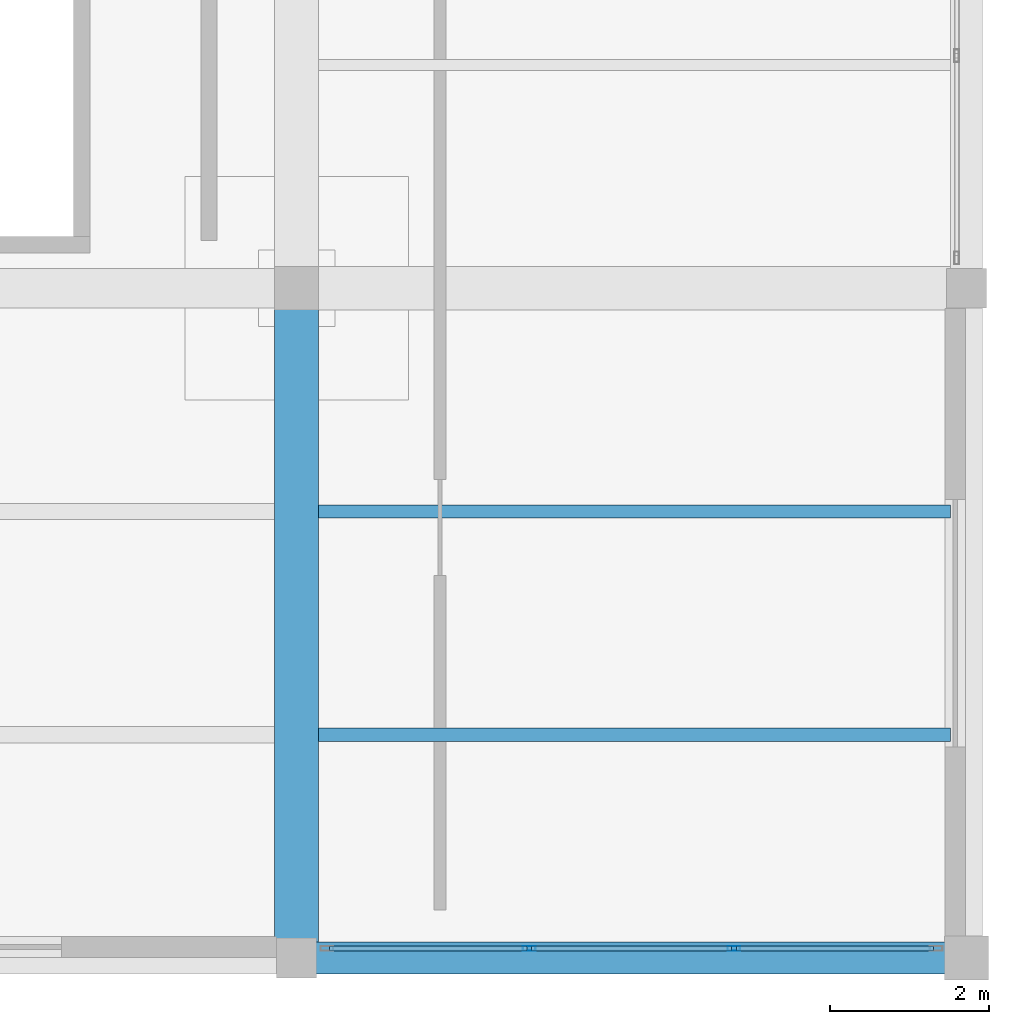
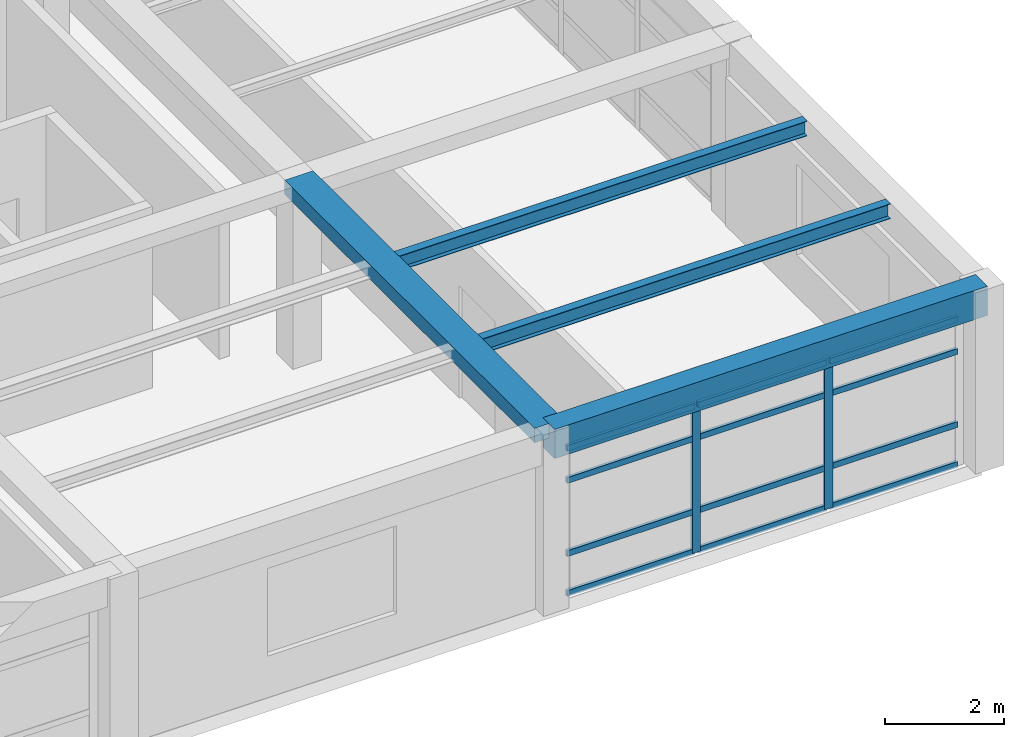
# One storey, part 7 of 20: 14 members, 4 beams, 1 element without a shape of its own.
"""IFC4 building model written with IfcOpenShell, lengths in metres."""

import ifcopenshell
import ifcopenshell.guid

model = None  # the IFC model being written
_history = None  # IfcOwnerHistory: only IFC2X3 demands one
_inside = {}  # id of a spatial element -> (the spatial element, [elements in it])
_under = {}  # id of a project, library or spatial element -> (it, [spatial elements below it])
_declared = {}  # id of a project -> (the project, [libraries it declares])
_typed = {}  # id of a type object -> (the type object, [elements of that type])
_made_of = {}  # id of a material, layer set ... -> (it, [elements and type objects made of it])


def new_model(schema):
    """Start an empty IFC model of exactly this schema.

    Asked for "IFC4X3", IfcOpenShell would pick the latest addendum, in which some entities
    have other attributes; the version numbers below select the first issue.
    IFC2X3 requires an IfcOwnerHistory on every rooted entity: one is made here for all.
    """
    global model, _history
    if schema == "IFC4X3":
        model = ifcopenshell.file(schema_version=(4, 3, 0, 0))
    else:
        model = ifcopenshell.file(schema=schema)
    _inside.clear()
    _under.clear()
    _declared.clear()
    _typed.clear()
    _made_of.clear()
    _history = None
    if model.schema == "IFC2X3":
        org = make("IfcOrganization", Name="unknown")
        user = make(
            "IfcPersonAndOrganization",
            ThePerson=make("IfcPerson", FamilyName="unknown"),
            TheOrganization=org,
        )
        app = make(
            "IfcApplication",
            ApplicationDeveloper=org,
            Version="unknown",
            ApplicationFullName="unknown",
            ApplicationIdentifier="unknown",
        )
        _history = make(
            "IfcOwnerHistory",
            OwningUser=user,
            OwningApplication=app,
            ChangeAction="ADDED",
            CreationDate=0,
        )
    return model


def make(cls, **values):
    """One entity of the class cls with the attributes given. An attribute that is None is left unset."""
    return model.create_entity(
        cls, **{name: value for name, value in values.items() if value is not None}
    )


def rooted(cls, **values):
    """An entity with a GlobalId (a new one), such as an element, a storey or a relation."""
    return make(cls, GlobalId=ifcopenshell.guid.new(), OwnerHistory=_history, **values)


def si_unit(unit_type, name, prefix=None):
    """IfcSIUnit, for example si_unit("LENGTHUNIT", "METRE", prefix="MILLI")."""
    return make("IfcSIUnit", UnitType=unit_type, Prefix=prefix, Name=name)


def assignment(units):
    """IfcUnitAssignment: the units of a project."""
    return None if units is None else make("IfcUnitAssignment", Units=units)


def point(xyz):
    """IfcCartesianPoint."""
    return None if xyz is None else make("IfcCartesianPoint", Coordinates=xyz)


def direction(xyz):
    """IfcDirection."""
    return None if xyz is None else make("IfcDirection", DirectionRatios=xyz)


def frame(location, z_axis=None, x_axis=None):
    """IfcAxis2Placement3D, a coordinate frame: its origin and axes. An axis left out is left unset."""
    return make(
        "IfcAxis2Placement3D",
        Location=point(location),
        Axis=direction(z_axis),
        RefDirection=direction(x_axis),
    )


def frame_2d(location, x_axis=None):
    """IfcAxis2Placement2D, a coordinate frame in the plane: its origin and x axis."""
    return make(
        "IfcAxis2Placement2D", Location=point(location), RefDirection=direction(x_axis)
    )


def origin():
    """The frame at (0, 0, 0) with its axes left unset."""
    return frame((0.0, 0.0, 0.0))


def origin_2d():
    """The frame at (0, 0) in the plane with its x axis left unset."""
    return frame_2d((0.0, 0.0))


def place(relative_to, where):
    """IfcLocalPlacement: puts the frame where relative to a parent placement (None: the world)."""
    return make(
        "IfcLocalPlacement", PlacementRelTo=relative_to, RelativePlacement=where
    )


def context(
    kind, dimensions, precision=None, world=None, true_north=None, identifier=None
):
    """IfcGeometricRepresentationContext, for example the 3D "Model" context."""
    return make(
        "IfcGeometricRepresentationContext",
        ContextIdentifier=identifier,
        ContextType=kind,
        CoordinateSpaceDimension=dimensions,
        Precision=precision,
        WorldCoordinateSystem=world,
        TrueNorth=true_north,
    )


def subcontext(parent, identifier, kind, view, scale=None):
    """IfcGeometricRepresentationSubContext, for example "Body" below "Model"."""
    return make(
        "IfcGeometricRepresentationSubContext",
        ContextIdentifier=identifier,
        ContextType=kind,
        ParentContext=parent,
        TargetScale=scale,
        TargetView=view,
    )


def project(units=None, contexts=None):
    """IfcProject with its units and contexts."""
    return rooted(
        "IfcProject",
        Name="project",
        RepresentationContexts=contexts,
        UnitsInContext=assignment(units),
    )


def spatial(cls, under=None, at=None, **own):
    """A site, building, storey or space (cls), placed at a placement, below another one or the project."""
    s = rooted(cls, ObjectPlacement=at, **own)
    if under is not None:
        _under.setdefault(under.id(), (under, []))[1].append(s)
    return s


def profile(cls, at=None, kind="AREA", **sizes):
    """A parametric profile (cls). Its sizes go by their IFC names, for example OverallWidth=200.0."""
    return make(cls, ProfileType=kind, Position=at, **sizes)


def rectangle(**sizes):
    """IfcRectangleProfileDef."""
    return profile("IfcRectangleProfileDef", **sizes)


def hollow_rectangle(**sizes):
    """IfcRectangleHollowProfileDef."""
    return profile("IfcRectangleHollowProfileDef", **sizes)


def i_section(**sizes):
    """IfcIShapeProfileDef."""
    return profile("IfcIShapeProfileDef", **sizes)


def extrude(swept, where, along, depth):
    """IfcExtrudedAreaSolid: the profile swept, set in the frame where, extruded along a direction by depth."""
    return make(
        "IfcExtrudedAreaSolid",
        SweptArea=swept,
        Position=where,
        ExtrudedDirection=direction(along),
        Depth=depth,
    )


def shape(context_of_items, identifier, shape_type, items):
    """IfcShapeRepresentation: the items that make up one representation, for example the "Body"."""
    return make(
        "IfcShapeRepresentation",
        ContextOfItems=context_of_items,
        RepresentationIdentifier=identifier,
        RepresentationType=shape_type,
        Items=items,
    )


def material(Name=None, Category=None):
    """IfcMaterial."""
    return make("IfcMaterial", Name=Name, Category=Category)


def material_profile(
    of_material, cross_section, Name=None, Category=None, Priority=None
):
    """IfcMaterialProfile: a cross section and its material."""
    return make(
        "IfcMaterialProfile",
        Name=Name,
        Material=of_material,
        Profile=cross_section,
        Priority=Priority,
        Category=Category,
    )


def profile_set(profiles, Name=None, composite=None):
    """IfcMaterialProfileSet."""
    return make(
        "IfcMaterialProfileSet",
        Name=Name,
        MaterialProfiles=profiles,
        CompositeProfile=composite,
    )


def made_of(thing, what):
    """Note that an element or type object is made of a material, layer set ...; save() writes the relation."""
    if what is not None:
        _made_of.setdefault(what.id(), (what, []))[1].append(thing)
    return thing


def type_object(cls, material=None, **own):
    """A type object (cls), such as IfcWallType, which elements share."""
    return made_of(rooted(cls, **own), material)


def element(
    cls,
    number,
    at=None,
    inside=None,
    cuts=None,
    type_object=None,
    material=None,
    context=None,
    identifier="Body",
    shape_type=None,
    held_by="IfcProductDefinitionShape",
    body=None,
    shapes=None,
    **own,
):
    """One element of the class cls, such as IfcWall. Its Tag is "e" and its number.

    at: its placement. inside: the storey or other place that contains it. cuts: it is an
    opening in that element (IfcRelVoidsElement). A single representation is given by context,
    identifier, shape_type and body (its items); several are given by shapes. held_by: the class
    of the entity that holds the representations. save() writes the other relations.
    """
    e = rooted(cls, Tag="e%d" % number, ObjectPlacement=at, **own)
    if body is not None:
        shapes = [shape(context, identifier, shape_type, body)]
    if shapes is not None:
        e.Representation = make(held_by, Representations=shapes)
    if inside is not None:
        _inside.setdefault(inside.id(), (inside, []))[1].append(e)
    if cuts is not None:
        rooted(
            "IfcRelVoidsElement", RelatingBuildingElement=cuts, RelatedOpeningElement=e
        )
    if type_object is not None:
        _typed.setdefault(type_object.id(), (type_object, []))[1].append(e)
    return made_of(e, material)


def aggregate(whole, parts):
    """IfcRelAggregates: a whole, such as a stair, and the parts it consists of."""
    return rooted("IfcRelAggregates", RelatingObject=whole, RelatedObjects=parts)


def save(model, path):
    """Write the relations noted so far, then the file.

    IfcRelAggregates (storeys below a building ...), IfcRelContainedInSpatialStructure (elements
    in a storey), IfcRelDefinesByType, IfcRelAssociatesMaterial and IfcRelDeclares: one each for
    every whole, place, type object, material and project.
    """
    for whole, parts in _under.values():
        aggregate(whole, parts)
    for where, things in _inside.values():
        rooted(
            "IfcRelContainedInSpatialStructure",
            RelatedElements=things,
            RelatingStructure=where,
        )
    for kind, things in _typed.values():
        rooted("IfcRelDefinesByType", RelatedObjects=things, RelatingType=kind)
    for what, things in _made_of.values():
        rooted("IfcRelAssociatesMaterial", RelatedObjects=things, RelatingMaterial=what)
    for by, libraries in _declared.values():
        rooted("IfcRelDeclares", RelatingContext=by, RelatedDefinitions=libraries)
    model.write(path)


model = new_model("IFC4")

# Units and contexts
model_context = context("Model", 3, precision=1e-05, world=origin(), true_north=direction((0.0, 1.0)))
body_context = subcontext(model_context, "Body", "Model", "MODEL_VIEW")
ifc_project = project(units=[si_unit("LENGTHUNIT", "METRE"), si_unit("AREAUNIT", "SQUARE_METRE"), si_unit("VOLUMEUNIT", "CUBIC_METRE"), si_unit("PLANEANGLEUNIT", "RADIAN"), si_unit("MASSUNIT", "GRAM", prefix="KILO")], contexts=[model_context])

# Site, building, storey
site_placement = place(None, origin())
site = spatial("IfcSite", under=ifc_project, at=site_placement, CompositionType="ELEMENT")
building_placement = place(site_placement, origin())
building = spatial("IfcBuilding", under=site, at=building_placement, Name="Almacenes y Pasaje Nevantli", CompositionType="ELEMENT")
storey_placement = place(building_placement, frame((0.0, 0.0, 62.699951171875)))
storey = spatial("IfcBuildingStorey", under=building, at=storey_placement, Name="L15", CompositionType="ELEMENT", Elevation=62.699951171875)

# Beams
ifc_material_1 = material(Name="Concrete C35/45", Category="concrete")
ifc_material_profile_1 = material_profile(ifc_material_1, rectangle(XDim=0.39990234375, YDim=0.60009765625, at=origin_2d()), Name="RC-BM-400x600")
ifc_profile_set_1 = profile_set([ifc_material_profile_1], Name="Concrete C35/45")
beam_type_1 = type_object("IfcBeamType", Name="BM-RC-400x600", PredefinedType="SPANDREL", material=ifc_profile_set_1)
beam_1_placement = place(storey_placement, frame((142.800048828125, 67.199951171875, 3.420166015625), z_axis=(1.0, 0.0, 0.0), x_axis=(0.0, 1.0, 0.0)))
element("IfcBeam", 1, at=beam_1_placement, inside=storey, type_object=beam_type_1, Name="L15 East-West Reinforced Concrete Beam #4017", PredefinedType="SPANDREL", context=body_context, shape_type="SweptSolid", body=[
    extrude(rectangle(XDim=0.39990234375, YDim=0.60009765625, at=origin_2d()), origin(), (0.0, 0.0, 1.0), 8.39990234375),
])
ifc_material_2 = material(Name="Concrete C35/45", Category="concrete")
ifc_material_profile_2 = material_profile(ifc_material_2, rectangle(XDim=0.550048828125, YDim=0.300048828125, at=origin_2d()), Name="RC-BM-550x300")
ifc_profile_set_2 = profile_set([ifc_material_profile_2], Name="Concrete C35/45")
beam_type_2 = type_object("IfcBeamType", Name="BM-RC-550x300", PredefinedType="BEAM", material=ifc_profile_set_2)
beam_2_placement = place(storey_placement, frame((142.800048828125, 67.199951171875, 3.570068359375), z_axis=(0.0, 1.0, 0.0), x_axis=(-1.0, 0.0, 0.0)))
element("IfcBeam", 2, at=beam_2_placement, inside=storey, type_object=beam_type_2, Name="L15 North-South Reinforced Concrete Beam #4037", PredefinedType="BEAM", context=body_context, shape_type="SweptSolid", body=[
    extrude(rectangle(XDim=0.550048828125, YDim=0.300048828125, at=origin_2d()), origin(), (0.0, 0.0, 1.0), 8.400146484375),
])
ifc_material_3 = material(Name="Steel ASTM A992", Category="steel")
ifc_material_profile_3 = material_profile(ifc_material_3, i_section(OverallWidth=0.1650390625, OverallDepth=0.306884765625, WebThickness=0.006591796875, FlangeThickness=0.01025390625, at=origin_2d()), Name="IR 305x44.6")
ifc_profile_set_3 = profile_set([ifc_material_profile_3], Name="Steel ASTM A992")
beam_type_3 = type_object("IfcBeamType", Name="BM-STL-IR-305x44p6", PredefinedType="JOIST", material=ifc_profile_set_3)
for number, where, z_axis, x_axis, name in (
    (3, (143.074951171875, 70.0, 3.55859375), (1.0, 0.0, 0.0), (0.0, 1.0, 0.0), "L15 Secondary Steel Floor Joist #1607"),
    (4, (143.074951171875, 72.800048828125, 3.55859375), (1.0, 0.0, 0.0), (0.0, 1.0, 0.0), "L15 Secondary Steel Floor Joist #1608"),
):
    element("IfcBeam", number, at=place(storey_placement, frame(where, z_axis=z_axis, x_axis=x_axis)), inside=storey, type_object=beam_type_3, Name=name, PredefinedType="JOIST", context=body_context, shape_type="SweptSolid", body=[
        extrude(i_section(OverallWidth=0.1650390625, OverallDepth=0.306884765625, WebThickness=0.006591796875, FlangeThickness=0.01025390625, at=origin_2d()), origin(), (0.0, 0.0, 1.0), 7.925048828125),
    ])

# Curtain wall, members
ifc_material_4 = material(Name="Thermally Broken Aluminium and Low-E Glass", Category="aluminium")
curtain_wall_type = type_object("IfcCurtainWallType", Name="CW-UNIT-TOWER", PredefinedType="USERDEFINED", material=ifc_material_4)
curtain_wall_placement = place(storey_placement, origin())
curtain_wall = element("IfcCurtainWall", 5, at=curtain_wall_placement, inside=storey, type_object=curtain_wall_type, Name="L15 Tower South Unitized Curtain Wall Bay 18", ObjectType="UNITIZED CURTAIN WALL", PredefinedType="USERDEFINED")
ifc_material_5 = material(Name="Thermally Broken Anodized Aluminium", Category="aluminium")
ifc_material_profile_4 = material_profile(ifc_material_5, hollow_rectangle(XDim=0.06005859375, YDim=0.159912109375, WallThickness=0.00390625, at=origin_2d()), Name="ALU-MUL-60x160")
ifc_profile_set_4 = profile_set([ifc_material_profile_4], Name="Thermally Broken Anodized Aluminium")
member_type_1 = type_object("IfcMemberType", Name="CW-MUL-180", PredefinedType="MULLION", material=ifc_profile_set_4)
member_1_placement = place(storey_placement, frame((145.716552734375, 67.320068359375, 0.0), z_axis=(0.0, 0.0, 1.0), x_axis=(0.0, 1.0, 0.0)))
member_1 = element("IfcMember", 6, at=member_1_placement, type_object=member_type_1, Name="CW-L15-187 mullion 2", PredefinedType="MULLION", context=body_context, shape_type="SweptSolid", body=[
    extrude(hollow_rectangle(XDim=0.06005859375, YDim=0.159912109375, WallThickness=0.00390625, at=origin_2d()), origin(), (0.0, 0.0, 1.0), 3.0400390625),
])
member_2_placement = place(storey_placement, frame((148.283447265625, 67.320068359375, 0.0), z_axis=(0.0, 0.0, 1.0), x_axis=(0.0, 1.0, 0.0)))
member_2 = element("IfcMember", 7, at=member_2_placement, type_object=member_type_1, Name="CW-L15-187 mullion 3", PredefinedType="MULLION", context=body_context, shape_type="SweptSolid", body=[
    extrude(hollow_rectangle(XDim=0.06005859375, YDim=0.159912109375, WallThickness=0.00390625, at=origin_2d()), origin(), (0.0, 0.0, 1.0), 3.0400390625),
])
ifc_material_6 = material(Name="Thermally Broken Anodized Aluminium", Category="aluminium")
ifc_material_profile_5 = material_profile(ifc_material_6, hollow_rectangle(XDim=0.06005859375, YDim=0.1201171875, WallThickness=0.00341796875, at=origin_2d()), Name="ALU-TRN-60x120")
ifc_profile_set_5 = profile_set([ifc_material_profile_5], Name="Thermally Broken Anodized Aluminium")
member_type_2 = type_object("IfcMemberType", Name="CW-TRN-130", PredefinedType="USERDEFINED", material=ifc_profile_set_5)
member_3_placement = place(storey_placement, frame((143.2099609375, 67.320068359375, 0.030029296875), z_axis=(1.0, 0.0, 0.0), x_axis=(0.0, 1.0, 0.0)))
member_3 = element("IfcMember", 8, at=member_3_placement, type_object=member_type_2, Name="CW-L15-187 transom 1.1", ObjectType="TRANSOM", PredefinedType="USERDEFINED", context=body_context, shape_type="SweptSolid", body=[
    extrude(hollow_rectangle(XDim=0.06005859375, YDim=0.1201171875, WallThickness=0.00341796875, at=origin_2d()), origin(), (0.0, 0.0, 1.0), 2.476806640625),
])
member_4_placement = place(storey_placement, frame((143.2099609375, 67.320068359375, 0.85009765625), z_axis=(1.0, 0.0, 0.0), x_axis=(0.0, 1.0, 0.0)))
member_4 = element("IfcMember", 9, at=member_4_placement, type_object=member_type_2, Name="CW-L15-187 transom 1.2", ObjectType="TRANSOM", PredefinedType="USERDEFINED", context=body_context, shape_type="SweptSolid", body=[
    extrude(hollow_rectangle(XDim=0.06005859375, YDim=0.1201171875, WallThickness=0.00341796875, at=origin_2d()), origin(), (0.0, 0.0, 1.0), 2.476806640625),
])
member_5_placement = place(storey_placement, frame((143.2099609375, 67.320068359375, 2.35009765625), z_axis=(1.0, 0.0, 0.0), x_axis=(0.0, 1.0, 0.0)))
member_5 = element("IfcMember", 10, at=member_5_placement, type_object=member_type_2, Name="CW-L15-187 transom 1.3", ObjectType="TRANSOM", PredefinedType="USERDEFINED", context=body_context, shape_type="SweptSolid", body=[
    extrude(hollow_rectangle(XDim=0.06005859375, YDim=0.1201171875, WallThickness=0.00341796875, at=origin_2d()), origin(), (0.0, 0.0, 1.0), 2.476806640625),
])
member_6_placement = place(storey_placement, frame((143.2099609375, 67.320068359375, 3.010009765625), z_axis=(1.0, 0.0, 0.0), x_axis=(0.0, 1.0, 0.0)))
member_6 = element("IfcMember", 11, at=member_6_placement, type_object=member_type_2, Name="CW-L15-187 transom 1.4", ObjectType="TRANSOM", PredefinedType="USERDEFINED", context=body_context, shape_type="SweptSolid", body=[
    extrude(hollow_rectangle(XDim=0.06005859375, YDim=0.1201171875, WallThickness=0.00341796875, at=origin_2d()), origin(), (0.0, 0.0, 1.0), 2.476806640625),
])
member_7_placement = place(storey_placement, frame((145.74658203125, 67.320068359375, 0.030029296875), z_axis=(1.0, 0.0, 0.0), x_axis=(0.0, 1.0, 0.0)))
member_7 = element("IfcMember", 12, at=member_7_placement, type_object=member_type_2, Name="CW-L15-187 transom 2.1", ObjectType="TRANSOM", PredefinedType="USERDEFINED", context=body_context, shape_type="SweptSolid", body=[
    extrude(hollow_rectangle(XDim=0.06005859375, YDim=0.1201171875, WallThickness=0.00341796875, at=origin_2d()), origin(), (0.0, 0.0, 1.0), 2.5068359375),
])
member_8_placement = place(storey_placement, frame((145.74658203125, 67.320068359375, 0.85009765625), z_axis=(1.0, 0.0, 0.0), x_axis=(0.0, 1.0, 0.0)))
member_8 = element("IfcMember", 13, at=member_8_placement, type_object=member_type_2, Name="CW-L15-187 transom 2.2", ObjectType="TRANSOM", PredefinedType="USERDEFINED", context=body_context, shape_type="SweptSolid", body=[
    extrude(hollow_rectangle(XDim=0.06005859375, YDim=0.1201171875, WallThickness=0.00341796875, at=origin_2d()), origin(), (0.0, 0.0, 1.0), 2.5068359375),
])
member_9_placement = place(storey_placement, frame((145.74658203125, 67.320068359375, 2.35009765625), z_axis=(1.0, 0.0, 0.0), x_axis=(0.0, 1.0, 0.0)))
member_9 = element("IfcMember", 14, at=member_9_placement, type_object=member_type_2, Name="CW-L15-187 transom 2.3", ObjectType="TRANSOM", PredefinedType="USERDEFINED", context=body_context, shape_type="SweptSolid", body=[
    extrude(hollow_rectangle(XDim=0.06005859375, YDim=0.1201171875, WallThickness=0.00341796875, at=origin_2d()), origin(), (0.0, 0.0, 1.0), 2.5068359375),
])
member_10_placement = place(storey_placement, frame((145.74658203125, 67.320068359375, 3.010009765625), z_axis=(1.0, 0.0, 0.0), x_axis=(0.0, 1.0, 0.0)))
member_10 = element("IfcMember", 15, at=member_10_placement, type_object=member_type_2, Name="CW-L15-187 transom 2.4", ObjectType="TRANSOM", PredefinedType="USERDEFINED", context=body_context, shape_type="SweptSolid", body=[
    extrude(hollow_rectangle(XDim=0.06005859375, YDim=0.1201171875, WallThickness=0.00341796875, at=origin_2d()), origin(), (0.0, 0.0, 1.0), 2.5068359375),
])
member_11_placement = place(storey_placement, frame((148.313232421875, 67.320068359375, 0.030029296875), z_axis=(1.0, 0.0, 0.0), x_axis=(0.0, 1.0, 0.0)))
member_11 = element("IfcMember", 16, at=member_11_placement, type_object=member_type_2, Name="CW-L15-187 transom 3.1", ObjectType="TRANSOM", PredefinedType="USERDEFINED", context=body_context, shape_type="SweptSolid", body=[
    extrude(hollow_rectangle(XDim=0.06005859375, YDim=0.1201171875, WallThickness=0.00341796875, at=origin_2d()), origin(), (0.0, 0.0, 1.0), 2.476806640625),
])
member_12_placement = place(storey_placement, frame((148.313232421875, 67.320068359375, 0.85009765625), z_axis=(1.0, 0.0, 0.0), x_axis=(0.0, 1.0, 0.0)))
member_12 = element("IfcMember", 17, at=member_12_placement, type_object=member_type_2, Name="CW-L15-187 transom 3.2", ObjectType="TRANSOM", PredefinedType="USERDEFINED", context=body_context, shape_type="SweptSolid", body=[
    extrude(hollow_rectangle(XDim=0.06005859375, YDim=0.1201171875, WallThickness=0.00341796875, at=origin_2d()), origin(), (0.0, 0.0, 1.0), 2.476806640625),
])
member_13_placement = place(storey_placement, frame((148.313232421875, 67.320068359375, 2.35009765625), z_axis=(1.0, 0.0, 0.0), x_axis=(0.0, 1.0, 0.0)))
member_13 = element("IfcMember", 18, at=member_13_placement, type_object=member_type_2, Name="CW-L15-187 transom 3.3", ObjectType="TRANSOM", PredefinedType="USERDEFINED", context=body_context, shape_type="SweptSolid", body=[
    extrude(hollow_rectangle(XDim=0.06005859375, YDim=0.1201171875, WallThickness=0.00341796875, at=origin_2d()), origin(), (0.0, 0.0, 1.0), 2.476806640625),
])
member_14_placement = place(storey_placement, frame((148.313232421875, 67.320068359375, 3.010009765625), z_axis=(1.0, 0.0, 0.0), x_axis=(0.0, 1.0, 0.0)))
member_14 = element("IfcMember", 19, at=member_14_placement, type_object=member_type_2, Name="CW-L15-187 transom 3.4", ObjectType="TRANSOM", PredefinedType="USERDEFINED", context=body_context, shape_type="SweptSolid", body=[
    extrude(hollow_rectangle(XDim=0.06005859375, YDim=0.1201171875, WallThickness=0.00341796875, at=origin_2d()), origin(), (0.0, 0.0, 1.0), 2.476806640625),
])
aggregate(curtain_wall, [member_1, member_2, member_3, member_4, member_5, member_6, member_7, member_8, member_9, member_10, member_11, member_12, member_13, member_14])

save(model, "model.ifc")
